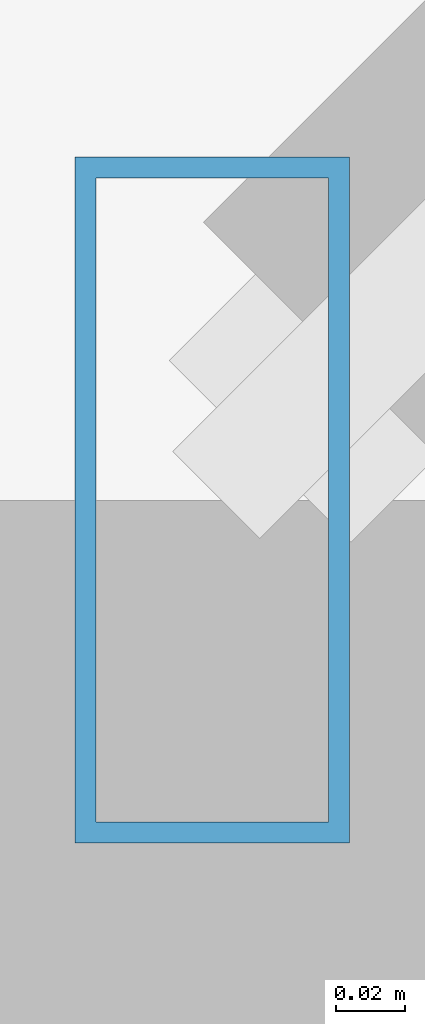
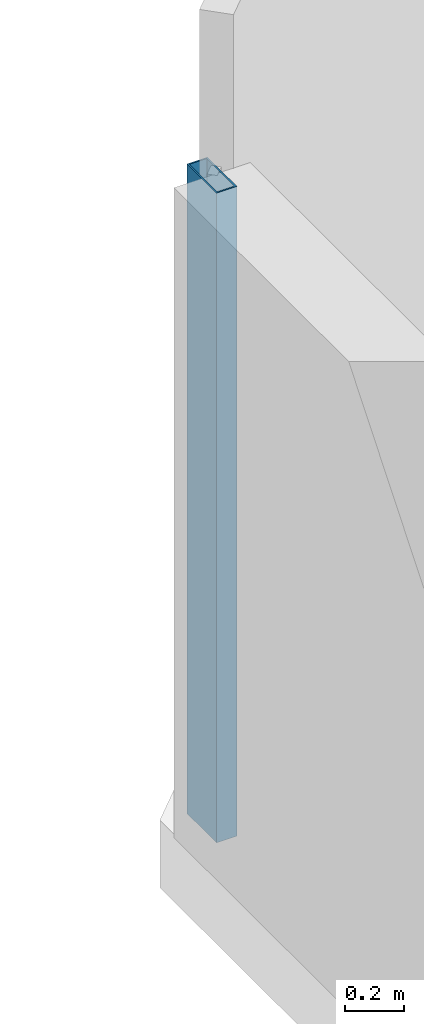
# One storey, part 11 of 32: 1 member, 1 element without a shape of its own.
"""IFC4 building model written with IfcOpenShell, lengths in metres."""

from ifc_helpers import new_model, si_unit, direction, frame, origin, origin_2d, place, context, subcontext, project, spatial, hollow_rectangle, extrude, material, material_profile, profile_set, type_object, element, aggregate, save


model = new_model("IFC4")

# Units and contexts
model_context = context("Model", 3, precision=1e-05, world=origin(), true_north=direction((0.0, 1.0)))
body_context = subcontext(model_context, "Body", "Model", "MODEL_VIEW")
ifc_project = project(units=[si_unit("LENGTHUNIT", "METRE"), si_unit("AREAUNIT", "SQUARE_METRE"), si_unit("VOLUMEUNIT", "CUBIC_METRE"), si_unit("PLANEANGLEUNIT", "RADIAN"), si_unit("MASSUNIT", "GRAM", prefix="KILO")], contexts=[model_context])

# Site, building, storey
site_placement = place(None, origin())
site = spatial("IfcSite", under=ifc_project, at=site_placement, CompositionType="ELEMENT")
building_placement = place(site_placement, origin())
building = spatial("IfcBuilding", under=site, at=building_placement, Name="Thornwick Lancets Civic Towers", CompositionType="ELEMENT")
storey_placement = place(building_placement, frame((0.0, 0.0, 152.699951171875)))
storey = spatial("IfcBuildingStorey", under=building, at=storey_placement, Name="L40", CompositionType="ELEMENT", Elevation=152.699951171875)

# Curtain wall, member
ifc_material_1 = material(Name="Mid-zone chamfered-corner unitised glass curtain wall", Category="glass")
curtain_wall_type = type_object("IfcCurtainWallType", Name="CW_SYS_04", PredefinedType="NOTDEFINED", material=ifc_material_1)
curtain_wall_placement = place(storey_placement, origin())
curtain_wall = element("IfcCurtainWall", 1, at=curtain_wall_placement, inside=storey, type_object=curtain_wall_type, Name="L40 Curtain Wall CW-L40-B-E5", PredefinedType="NOTDEFINED")
ifc_material_2 = material(Name="Thermally broken bronze aluminium S355", Category="steel")
ifc_material_profile = material_profile(ifc_material_2, hollow_rectangle(XDim=0.080078125, YDim=0.199951171875, WallThickness=0.006103515625, at=origin_2d()), Name="RHS 200x80x6")
ifc_profile_set = profile_set([ifc_material_profile], Name="Thermally broken bronze aluminium S355")
member_type = type_object("IfcMemberType", Name="CW_MUL_200", PredefinedType="MULLION", material=ifc_profile_set)
member_placement = place(storey_placement, frame((70.739990234375, 46.8017578125, 0.0), z_axis=(0.0, 0.0, 1.0), x_axis=(1.0, 0.0, 0.0)))
member = element("IfcMember", 2, at=member_placement, type_object=member_type, Name="CW-L40-B-E5 Mullion 1", PredefinedType="MULLION", context=body_context, shape_type="SweptSolid", body=[
    extrude(hollow_rectangle(XDim=0.080078125, YDim=0.199951171875, WallThickness=0.006103515625, at=origin_2d()), origin(), (0.0, 0.0, 1.0), 2.699951171875),
])
aggregate(curtain_wall, [member])

save(model, "model.ifc")
